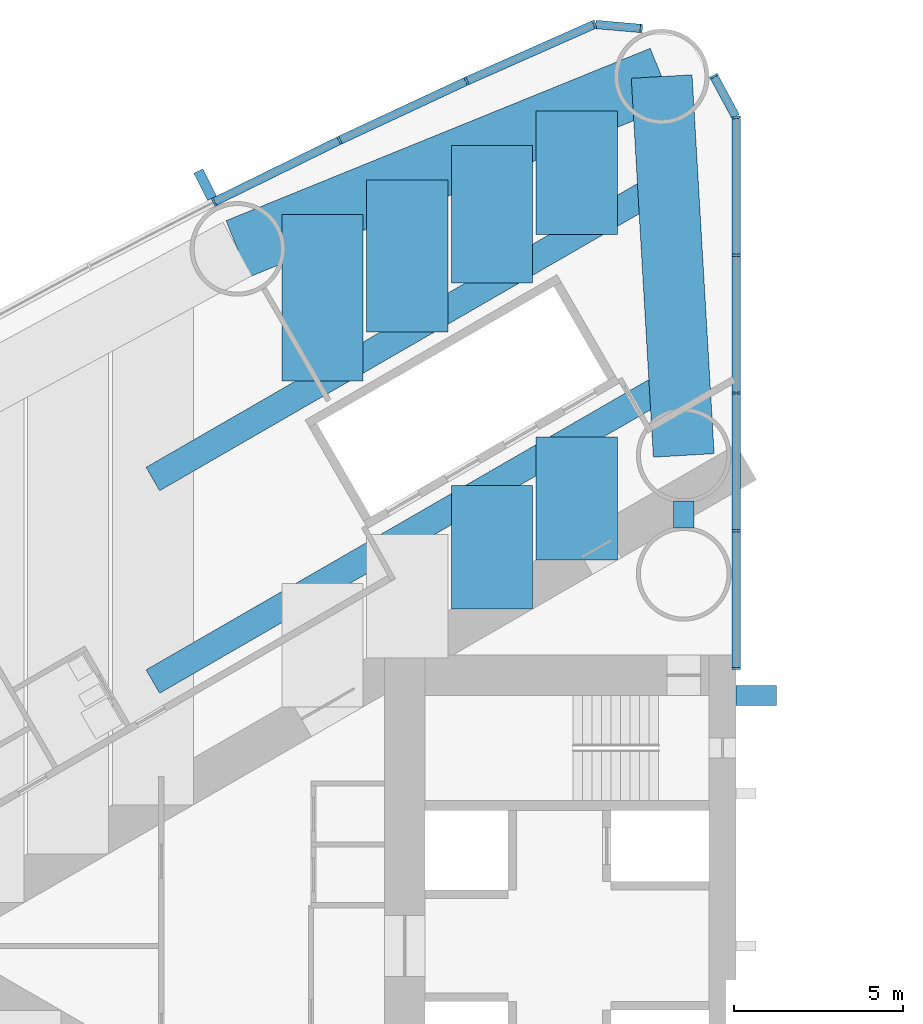
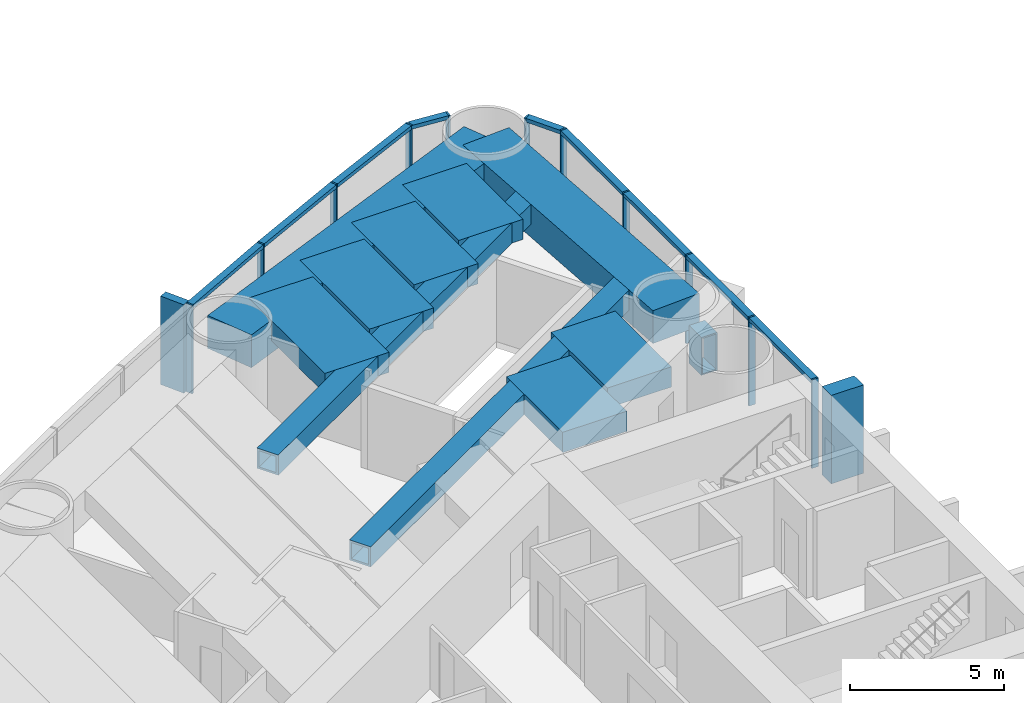
# One storey, part 5 of 19: 22 members, 11 beams, 2 elements without a shape of their own.
"""IFC4 building model written with IfcOpenShell, lengths in metres."""

from ifc_helpers import new_model, si_unit, direction, frame, origin, origin_2d, place, context, subcontext, project, spatial, rectangle, hollow_rectangle, extrude, material, material_profile, profile_set, type_object, element, aggregate, save


model = new_model("IFC4")

# Units and contexts
model_context = context("Model", 3, precision=1e-05, world=origin(), true_north=direction((0.0, 1.0)))
body_context = subcontext(model_context, "Body", "Model", "MODEL_VIEW")
ifc_project = project(units=[si_unit("LENGTHUNIT", "METRE"), si_unit("AREAUNIT", "SQUARE_METRE"), si_unit("VOLUMEUNIT", "CUBIC_METRE"), si_unit("PLANEANGLEUNIT", "RADIAN"), si_unit("MASSUNIT", "GRAM", prefix="KILO")], contexts=[model_context])

# Site, building, storey
site_placement = place(None, origin())
site = spatial("IfcSite", under=ifc_project, at=site_placement, CompositionType="ELEMENT")
building_placement = place(site_placement, origin())
building = spatial("IfcBuilding", under=site, at=building_placement, Name="Lancet Gate Hotel", CompositionType="ELEMENT")
storey_placement = place(building_placement, frame((0.0, 0.0, 25.0)))
storey = spatial("IfcBuildingStorey", under=building, at=storey_placement, Name="L05", CompositionType="ELEMENT", Elevation=25.0)

# Curtain wall, members
ifc_material_1 = material(Name="Aluminium curtain wall", Category="aluminium")
curtain_wall_type = type_object("IfcCurtainWallType", Name="Tower unitised curtain wall", PredefinedType="USERDEFINED", material=ifc_material_1)
curtain_wall_1_placement = place(storey_placement, origin())
curtain_wall_1 = element("IfcCurtainWall", 1, at=curtain_wall_1_placement, inside=storey, type_object=curtain_wall_type, Name="T1 L05 curtain wall 1", ObjectType="UNITISED CURTAIN WALL", PredefinedType="USERDEFINED")
ifc_material_2 = material(Name="Aluminium mullion", Category="aluminium")
ifc_material_profile_1 = material_profile(ifc_material_2, rectangle(XDim=0.06494140625, YDim=0.25, at=origin_2d()), Name="MULLION 65x250")
ifc_profile_set_1 = profile_set([ifc_material_profile_1], Name="Aluminium mullion")
member_type_1 = type_object("IfcMemberType", Name="Aluminium mullion 65x250", PredefinedType="MULLION", material=ifc_profile_set_1)
member_1_placement = place(storey_placement, frame((-27.5, 8.199951171875, 0.0), z_axis=(0.0, 0.0, 1.0), x_axis=(0.0, 1.0, 0.0)))
member_1 = element("IfcMember", 2, at=member_1_placement, type_object=member_type_1, Name="T1 L05 curtain wall 1 mullion 1", PredefinedType="MULLION", context=body_context, shape_type="SweptSolid", body=[
    extrude(rectangle(XDim=0.06494140625, YDim=0.25, at=origin_2d()), origin(), (0.0, 0.0, 1.0), 3.5),
])
member_2_placement = place(storey_placement, frame((-27.5, 12.272705078125, 0.0), z_axis=(0.0, 0.0, 1.0), x_axis=(0.0, 1.0, 0.0)))
member_2 = element("IfcMember", 3, at=member_2_placement, type_object=member_type_1, Name="T1 L05 curtain wall 1 mullion 2", PredefinedType="MULLION", context=body_context, shape_type="SweptSolid", body=[
    extrude(rectangle(XDim=0.06494140625, YDim=0.25, at=origin_2d()), origin(), (0.0, 0.0, 1.0), 3.5),
])
member_3_placement = place(storey_placement, frame((-27.5, 16.345703125, 0.0), z_axis=(0.0, 0.0, 1.0), x_axis=(0.0, 1.0, 0.0)))
member_3 = element("IfcMember", 4, at=member_3_placement, type_object=member_type_1, Name="T1 L05 curtain wall 1 mullion 3", PredefinedType="MULLION", context=body_context, shape_type="SweptSolid", body=[
    extrude(rectangle(XDim=0.06494140625, YDim=0.25, at=origin_2d()), origin(), (0.0, 0.0, 1.0), 3.5),
])
member_4_placement = place(storey_placement, frame((-27.5, 20.41845703125, 0.0), z_axis=(0.0, 0.0, 1.0), x_axis=(0.0, 1.0, 0.0)))
member_4 = element("IfcMember", 5, at=member_4_placement, type_object=member_type_1, Name="T1 L05 curtain wall 1 mullion 4", PredefinedType="MULLION", context=body_context, shape_type="SweptSolid", body=[
    extrude(rectangle(XDim=0.06494140625, YDim=0.25, at=origin_2d()), origin(), (0.0, 0.0, 1.0), 3.5),
])
member_5_placement = place(storey_placement, frame((-27.5, 24.4912109375, 0.0), z_axis=(0.0, 0.0, 1.0), x_axis=(-0.123482502544, 0.992346749662, 0.0)))
member_5 = element("IfcMember", 6, at=member_5_placement, type_object=member_type_1, Name="T1 L05 curtain wall 1 mullion 5", PredefinedType="MULLION", context=body_context, shape_type="SweptSolid", body=[
    extrude(rectangle(XDim=0.06494140625, YDim=0.25, at=origin_2d()), origin(), (0.0, 0.0, 1.0), 3.5),
])
member_6_placement = place(storey_placement, frame((-28.158935546875, 25.712890625, 0.0), z_axis=(0.0, 0.0, 1.0), x_axis=(-0.474631040972, 0.880184852714, 0.0)))
member_6 = element("IfcMember", 7, at=member_6_placement, type_object=member_type_1, Name="T1 L05 curtain wall 1 mullion 6", PredefinedType="MULLION", context=body_context, shape_type="SweptSolid", body=[
    extrude(rectangle(XDim=0.06494140625, YDim=0.25, at=origin_2d()), origin(), (0.0, 0.0, 1.0), 3.5),
])

curtain_wall_2_placement = place(storey_placement, origin())
curtain_wall_2 = element("IfcCurtainWall", 8, at=curtain_wall_2_placement, inside=storey, type_object=curtain_wall_type, Name="T1 L05 curtain wall 2", ObjectType="UNITISED CURTAIN WALL", PredefinedType="USERDEFINED")
member_7_placement = place(storey_placement, frame((-30.3046875, 27.124755859375, 0.0), z_axis=(0.0, 0.0, 1.0), x_axis=(-0.99620380374, 0.087051602022, 0.0)))
member_7 = element("IfcMember", 9, at=member_7_placement, type_object=member_type_1, Name="T1 L05 curtain wall 2 mullion 1", PredefinedType="MULLION", context=body_context, shape_type="SweptSolid", body=[
    extrude(rectangle(XDim=0.06494140625, YDim=0.25, at=origin_2d()), origin(), (0.0, 0.0, 1.0), 3.5),
])
member_8_placement = place(storey_placement, frame((-31.688720703125, 27.24560546875, 0.0), z_axis=(0.0, 0.0, 1.0), x_axis=(-0.957524354695, -0.288352406209, 0.0)))
member_8 = element("IfcMember", 10, at=member_8_placement, type_object=member_type_1, Name="T1 L05 curtain wall 2 mullion 2", PredefinedType="MULLION", context=body_context, shape_type="SweptSolid", body=[
    extrude(rectangle(XDim=0.06494140625, YDim=0.25, at=origin_2d()), origin(), (0.0, 0.0, 1.0), 3.5),
])
member_9_placement = place(storey_placement, frame((-35.473876953125, 25.568115234375, 0.0), z_axis=(0.0, 0.0, 1.0), x_axis=(-0.910219680212, -0.414125746308, 0.0)))
member_9 = element("IfcMember", 11, at=member_9_placement, type_object=member_type_1, Name="T1 L05 curtain wall 2 mullion 3", PredefinedType="MULLION", context=body_context, shape_type="SweptSolid", body=[
    extrude(rectangle(XDim=0.06494140625, YDim=0.25, at=origin_2d()), origin(), (0.0, 0.0, 1.0), 3.5),
])
member_10_placement = place(storey_placement, frame((-39.225341796875, 23.816650390625, 0.0), z_axis=(0.0, 0.0, 1.0), x_axis=(-0.901928838337, -0.431884672772, 0.0)))
member_10 = element("IfcMember", 12, at=member_10_placement, type_object=member_type_1, Name="T1 L05 curtain wall 2 mullion 4", PredefinedType="MULLION", context=body_context, shape_type="SweptSolid", body=[
    extrude(rectangle(XDim=0.06494140625, YDim=0.25, at=origin_2d()), origin(), (0.0, 0.0, 1.0), 3.5),
])
member_11_placement = place(storey_placement, frame((-42.94189453125, 21.991943359375, 0.0), z_axis=(0.0, 0.0, 1.0), x_axis=(-0.893291549794, -0.449477704748, 0.0)))
member_11 = element("IfcMember", 13, at=member_11_placement, type_object=member_type_1, Name="T1 L05 curtain wall 2 mullion 5", PredefinedType="MULLION", context=body_context, shape_type="SweptSolid", body=[
    extrude(rectangle(XDim=0.06494140625, YDim=0.25, at=origin_2d()), origin(), (0.0, 0.0, 1.0), 3.5),
])

# Member
ifc_material_3 = material(Name="Aluminium transom", Category="aluminium")
ifc_material_profile_2 = material_profile(ifc_material_3, rectangle(XDim=0.25, YDim=0.14990234375, at=origin_2d()), Name="TRANSOM 250x150")
ifc_profile_set_2 = profile_set([ifc_material_profile_2], Name="Aluminium transom")
member_type_2 = type_object("IfcMemberType", Name="Aluminium transom 250x150", PredefinedType="USERDEFINED", material=ifc_profile_set_2)
member_12_placement = place(storey_placement, frame((-27.5, 8.232421875, 3.425048828125), z_axis=(0.0, 1.0, 0.0), x_axis=(-1.0, 0.0, 0.0)))
member_12 = element("IfcMember", 14, at=member_12_placement, type_object=member_type_2, Name="T1 L05 curtain wall 1 transom 1", ObjectType="TRANSOM", PredefinedType="USERDEFINED", context=body_context, shape_type="SweptSolid", body=[
    extrude(rectangle(XDim=0.25, YDim=0.14990234375, at=origin_2d()), origin(), (0.0, 0.0, 1.0), 4.0078125),
])

member_13_placement = place(storey_placement, frame((-27.5, 12.30517578125, 3.425048828125), z_axis=(0.0, 1.0, 0.0), x_axis=(-1.0, 0.0, 0.0)))
member_13 = element("IfcMember", 15, at=member_13_placement, type_object=member_type_2, Name="T1 L05 curtain wall 1 transom 2", ObjectType="TRANSOM", PredefinedType="USERDEFINED", context=body_context, shape_type="SweptSolid", body=[
    extrude(rectangle(XDim=0.25, YDim=0.14990234375, at=origin_2d()), origin(), (0.0, 0.0, 1.0), 4.0078125),
])

member_14_placement = place(storey_placement, frame((-27.5, 16.378173828125, 3.425048828125), z_axis=(0.0, 1.0, 0.0), x_axis=(-1.0, 0.0, 0.0)))
member_14 = element("IfcMember", 16, at=member_14_placement, type_object=member_type_2, Name="T1 L05 curtain wall 1 transom 3", ObjectType="TRANSOM", PredefinedType="USERDEFINED", context=body_context, shape_type="SweptSolid", body=[
    extrude(rectangle(XDim=0.25, YDim=0.14990234375, at=origin_2d()), origin(), (0.0, 0.0, 1.0), 4.0078125),
])

member_15_placement = place(storey_placement, frame((-27.5, 20.450927734375, 3.425048828125), z_axis=(0.0, 1.0, 0.0), x_axis=(-1.0, 0.0, 0.0)))
member_15 = element("IfcMember", 17, at=member_15_placement, type_object=member_type_2, Name="T1 L05 curtain wall 1 transom 4", ObjectType="TRANSOM", PredefinedType="USERDEFINED", context=body_context, shape_type="SweptSolid", body=[
    extrude(rectangle(XDim=0.25, YDim=0.14990234375, at=origin_2d()), origin(), (0.0, 0.0, 1.0), 4.0078125),
])

member_16_placement = place(storey_placement, frame((-27.515380859375, 24.519775390625, 3.425048828125), z_axis=(-0.474605926905, 0.880198394765, 0.0), x_axis=(-0.880198394765, -0.474605926905, 0.0)))
member_16 = element("IfcMember", 18, at=member_16_placement, type_object=member_type_2, Name="T1 L05 curtain wall 1 transom 5", ObjectType="TRANSOM", PredefinedType="USERDEFINED", context=body_context, shape_type="SweptSolid", body=[
    extrude(rectangle(XDim=0.25, YDim=0.14990234375, at=origin_2d()), origin(), (0.0, 0.0, 1.0), 1.322998046875),
])

aggregate(curtain_wall_1, [member_1, member_2, member_3, member_4, member_5, member_6, member_12, member_13, member_14, member_15, member_16])

member_17_placement = place(storey_placement, frame((-30.337158203125, 27.127685546875, 3.425048828125), z_axis=(-0.99620591587, 0.087027427779, 0.0), x_axis=(-0.087027427779, -0.99620591587, 0.0)))
member_17 = element("IfcMember", 19, at=member_17_placement, type_object=member_type_2, Name="T1 L05 curtain wall 2 transom 1", ObjectType="TRANSOM", PredefinedType="USERDEFINED", context=body_context, shape_type="SweptSolid", body=[
    extrude(rectangle(XDim=0.25, YDim=0.14990234375, at=origin_2d()), origin(), (0.0, 0.0, 1.0), 1.32421875),
])

member_18_placement = place(storey_placement, frame((-31.71826171875, 27.232421875, 3.425048828125), z_axis=(-0.914248281954, -0.405154389022, 0.0), x_axis=(0.405154389022, -0.914248281954, 0.0)))
member_18 = element("IfcMember", 20, at=member_18_placement, type_object=member_type_2, Name="T1 L05 curtain wall 2 transom 2", ObjectType="TRANSOM", PredefinedType="USERDEFINED", context=body_context, shape_type="SweptSolid", body=[
    extrude(rectangle(XDim=0.25, YDim=0.14990234375, at=origin_2d()), origin(), (0.0, 0.0, 1.0), 4.0751953125),
])

member_19_placement = place(storey_placement, frame((-35.503173828125, 25.554443359375, 3.425048828125), z_axis=(-0.906109667261, -0.423042871228, 0.0), x_axis=(0.423042871228, -0.906109667261, 0.0)))
member_19 = element("IfcMember", 21, at=member_19_placement, type_object=member_type_2, Name="T1 L05 curtain wall 2 transom 3", ObjectType="TRANSOM", PredefinedType="USERDEFINED", context=body_context, shape_type="SweptSolid", body=[
    extrude(rectangle(XDim=0.25, YDim=0.14990234375, at=origin_2d()), origin(), (0.0, 0.0, 1.0), 4.075439453125),
])

member_20_placement = place(storey_placement, frame((-39.254638671875, 23.80224609375, 3.425048828125), z_axis=(-0.897662439958, -0.440683723194, 0.0), x_axis=(0.440683723194, -0.897662439958, 0.0)))
member_20 = element("IfcMember", 22, at=member_20_placement, type_object=member_type_2, Name="T1 L05 curtain wall 2 transom 4", ObjectType="TRANSOM", PredefinedType="USERDEFINED", context=body_context, shape_type="SweptSolid", body=[
    extrude(rectangle(XDim=0.25, YDim=0.14990234375, at=origin_2d()), origin(), (0.0, 0.0, 1.0), 4.0751953125),
])

# Beams
ifc_material_4 = material(Name="Concrete C50/60", Category="concrete")
ifc_material_profile_3 = material_profile(ifc_material_4, rectangle(XDim=1.800048828125, YDim=1.300048828125, at=origin_2d()), Name="RC 1800x1300")
ifc_profile_set_3 = profile_set([ifc_material_profile_3], Name="Concrete C50/60")
beam_type_1 = type_object("IfcBeamType", Name="Edge beam RC 1800x1300", PredefinedType="SPANDREL", material=ifc_profile_set_3)
beam_1_placement = place(storey_placement, frame((-29.703369140625, 25.70263671875, 2.60009765625), z_axis=(-0.926463236197, -0.376385270667, 0.0), x_axis=(0.376385270667, -0.926463236197, 0.0)))
element("IfcBeam", 23, at=beam_1_placement, inside=storey, type_object=beam_type_1, Name="T1 edge beam EB1 L05", PredefinedType="SPANDREL", context=body_context, shape_type="SweptSolid", body=[
    extrude(rectangle(XDim=1.800048828125, YDim=1.300048828125, at=origin_2d()), origin(), (0.0, 0.0, 1.0), 13.537353515625),
])
beam_2_placement = place(storey_placement, frame((-29.703369140625, 25.70263671875, 2.60009765625), z_axis=(0.058219521912, -0.998303805096, 0.0), x_axis=(0.998303805096, 0.058219521912, 0.0)))
element("IfcBeam", 24, at=beam_2_placement, inside=storey, type_object=beam_type_1, Name="T1 edge beam EB1 L05", PredefinedType="SPANDREL", context=body_context, shape_type="SweptSolid", body=[
    extrude(rectangle(XDim=1.800048828125, YDim=1.300048828125, at=origin_2d()), origin(), (0.0, 0.0, 1.0), 11.2216796875),
])

# Member
ifc_material_5 = material(Name="Concrete C60/75", Category="concrete")
ifc_material_profile_4 = material_profile(ifc_material_5, rectangle(XDim=0.60009765625, YDim=1.199951171875, at=origin_2d()), Name="FIN 600x1200")
ifc_profile_set_4 = profile_set([ifc_material_profile_4], Name="Concrete C60/75")
member_type_3 = type_object("IfcMemberType", Name="Exposed concrete buttress pilaster 600x1200", PredefinedType="USERDEFINED", material=ifc_profile_set_4)
member_21_placement = place(storey_placement, frame((-26.909912109375, 7.39990234375, 0.0), z_axis=(0.0, 0.0, 1.0), x_axis=(0.0, 1.0, 0.0)))
element("IfcMember", 25, at=member_21_placement, inside=storey, type_object=member_type_3, Name="T1 buttress pilaster S L05", ObjectType="FIN", PredefinedType="USERDEFINED", context=body_context, shape_type="SweptSolid", body=[
    extrude(rectangle(XDim=0.60009765625, YDim=1.199951171875, at=origin_2d()), origin(), (0.0, 0.0, 1.0), 3.5),
])

ifc_material_6 = material(Name="Precast concrete C50/60", Category="concrete")
ifc_material_profile_5 = material_profile(ifc_material_6, rectangle(XDim=0.300048828125, YDim=0.89990234375, at=origin_2d()), Name="FIN 300x900")
ifc_profile_set_5 = profile_set([ifc_material_profile_5], Name="Precast concrete C50/60")
member_type_4 = type_object("IfcMemberType", Name="Exposed concrete fin 300x900", PredefinedType="USERDEFINED", material=ifc_profile_set_5)
member_22_placement = place(storey_placement, frame((-43.200439453125, 22.505615234375, 0.0), z_axis=(0.0, 0.0, 1.0), x_axis=(-0.893291549794, -0.449477704748, 0.0)))
member_22 = element("IfcMember", 26, at=member_22_placement, type_object=member_type_4, Name="T1 L05 curtain wall 2 fin 5", ObjectType="FIN", PredefinedType="USERDEFINED", context=body_context, shape_type="SweptSolid", body=[
    extrude(rectangle(XDim=0.300048828125, YDim=0.89990234375, at=origin_2d()), origin(), (0.0, 0.0, 1.0), 3.5),
])

aggregate(curtain_wall_2, [member_7, member_8, member_9, member_10, member_11, member_22, member_17, member_18, member_19, member_20])

# Beams
ifc_material_7 = material(Name="Concrete C50/60", Category="concrete")
ifc_material_profile_6 = material_profile(ifc_material_7, rectangle(XDim=2.39990234375, YDim=0.800048828125, at=origin_2d()), Name="RC 2400x800")
ifc_profile_set_6 = profile_set([ifc_material_profile_6], Name="Concrete C50/60")
beam_type_2 = type_object("IfcBeamType", Name="Floor beam RC 2400x800", PredefinedType="BEAM", material=ifc_profile_set_6)
beam_3_placement = place(storey_placement, frame((-32.213623046875, 24.682861328125, 2.85009765625), z_axis=(0.0, -1.0, 0.0), x_axis=(1.0, 0.0, 0.0)))
element("IfcBeam", 27, at=beam_3_placement, inside=storey, type_object=beam_type_2, Name="T1 floor beam F02SA L05", PredefinedType="BEAM", context=body_context, shape_type="SweptSolid", body=[
    extrude(rectangle(XDim=2.39990234375, YDim=0.800048828125, at=origin_2d()), origin(), (0.0, 0.0, 1.0), 3.643798828125),
])
beam_4_placement = place(storey_placement, frame((-32.213623046875, 15.051025390625, 2.85009765625), z_axis=(0.0, -1.0, 0.0), x_axis=(1.0, 0.0, 0.0)))
element("IfcBeam", 28, at=beam_4_placement, inside=storey, type_object=beam_type_2, Name="T1 floor beam F02SB L05", PredefinedType="BEAM", context=body_context, shape_type="SweptSolid", body=[
    extrude(rectangle(XDim=2.39990234375, YDim=0.800048828125, at=origin_2d()), origin(), (0.0, 0.0, 1.0), 3.645751953125),
])
beam_5_placement = place(storey_placement, frame((-34.720458984375, 23.664306640625, 2.85009765625), z_axis=(0.0, -1.0, 0.0), x_axis=(1.0, 0.0, 0.0)))
element("IfcBeam", 29, at=beam_5_placement, inside=storey, type_object=beam_type_2, Name="T1 floor beam F04SA L05", PredefinedType="BEAM", context=body_context, shape_type="SweptSolid", body=[
    extrude(rectangle(XDim=2.39990234375, YDim=0.800048828125, at=origin_2d()), origin(), (0.0, 0.0, 1.0), 4.07275390625),
])
beam_6_placement = place(storey_placement, frame((-34.720458984375, 13.603759765625, 2.85009765625), z_axis=(0.0, -1.0, 0.0), x_axis=(1.0, 0.0, 0.0)))
element("IfcBeam", 30, at=beam_6_placement, inside=storey, type_object=beam_type_2, Name="T1 floor beam F04SB L05", PredefinedType="BEAM", context=body_context, shape_type="SweptSolid", body=[
    extrude(rectangle(XDim=2.39990234375, YDim=0.800048828125, at=origin_2d()), origin(), (0.0, 0.0, 1.0), 3.645751953125),
])
beam_7_placement = place(storey_placement, frame((-37.227294921875, 22.64599609375, 2.85009765625), z_axis=(0.0, -1.0, 0.0), x_axis=(1.0, 0.0, 0.0)))
element("IfcBeam", 31, at=beam_7_placement, inside=storey, type_object=beam_type_2, Name="T1 floor beam F05SA L05", PredefinedType="BEAM", context=body_context, shape_type="SweptSolid", body=[
    extrude(rectangle(XDim=2.39990234375, YDim=0.800048828125, at=origin_2d()), origin(), (0.0, 0.0, 1.0), 4.501953125),
])
beam_8_placement = place(storey_placement, frame((-39.734130859375, 21.627685546875, 2.85009765625), z_axis=(0.0, -1.0, 0.0), x_axis=(1.0, 0.0, 0.0)))
element("IfcBeam", 32, at=beam_8_placement, inside=storey, type_object=beam_type_2, Name="T1 floor beam F07SA L05", PredefinedType="BEAM", context=body_context, shape_type="SweptSolid", body=[
    extrude(rectangle(XDim=2.39990234375, YDim=0.800048828125, at=origin_2d()), origin(), (0.0, 0.0, 1.0), 4.93115234375),
])
ifc_material_8 = material(Name="Steel S460QL", Category="steel")
ifc_material_profile_7 = material_profile(ifc_material_8, hollow_rectangle(XDim=0.60009765625, YDim=1.5, WallThickness=0.050048828125, at=origin_2d()), Name="BOX 1500x600x50")
ifc_profile_set_7 = profile_set([ifc_material_profile_7], Name="Steel S460QL")
beam_type_3 = type_object("IfcBeamType", Name="Inner-face link beam BOX 1500x600x50", PredefinedType="BEAM", material=ifc_profile_set_7)
beam_9_placement = place(storey_placement, frame((-29.050048828125, 13.14990234375, 2.5), z_axis=(0.0, -1.0, 0.0), x_axis=(1.0, 0.0, 0.0)))
element("IfcBeam", 33, at=beam_9_placement, inside=storey, type_object=beam_type_3, Name="T1 inner-face link beam LK1 L05", PredefinedType="BEAM", context=body_context, shape_type="SweptSolid", body=[
    extrude(hollow_rectangle(XDim=0.60009765625, YDim=1.5, WallThickness=0.050048828125, at=origin_2d()), origin(), (0.0, 0.0, 1.0), 0.7998046875),
])
ifc_material_9 = material(Name="Steel S460QL", Category="steel")
ifc_material_profile_8 = material_profile(ifc_material_9, hollow_rectangle(XDim=0.800048828125, YDim=0.800048828125, WallThickness=0.080078125, at=origin_2d()), Name="BOX 800x800x80")
ifc_profile_set_8 = profile_set([ifc_material_profile_8], Name="Steel S460QL")
beam_type_4 = type_object("IfcBeamType", Name="Trimmer beam BOX 800x800x80", PredefinedType="BEAM", material=ifc_profile_set_8)
beam_10_placement = place(storey_placement, frame((-29.18408203125, 16.800537109375, 2.85009765625), z_axis=(-0.865998945969, -0.500045823481, 0.0), x_axis=(0.500045823481, -0.865998945969, 0.0)))
element("IfcBeam", 34, at=beam_10_placement, inside=storey, type_object=beam_type_4, Name="T1 trimmer beam TR01S L05", PredefinedType="BEAM", context=body_context, shape_type="SweptSolid", body=[
    extrude(hollow_rectangle(XDim=0.800048828125, YDim=0.800048828125, WallThickness=0.080078125, at=origin_2d()), origin(), (0.0, 0.0, 1.0), 17.971923828125),
])
beam_11_placement = place(storey_placement, frame((-29.52197265625, 22.59326171875, 2.85009765625), z_axis=(-0.866004054636, -0.500036975987, 0.0), x_axis=(0.500036975987, -0.866004054636, 0.0)))
element("IfcBeam", 35, at=beam_11_placement, inside=storey, type_object=beam_type_4, Name="T1 trimmer beam TR02S L05", PredefinedType="BEAM", context=body_context, shape_type="SweptSolid", body=[
    extrude(hollow_rectangle(XDim=0.800048828125, YDim=0.800048828125, WallThickness=0.080078125, at=origin_2d()), origin(), (0.0, 0.0, 1.0), 17.581787109375),
])

save(model, "model.ifc")
